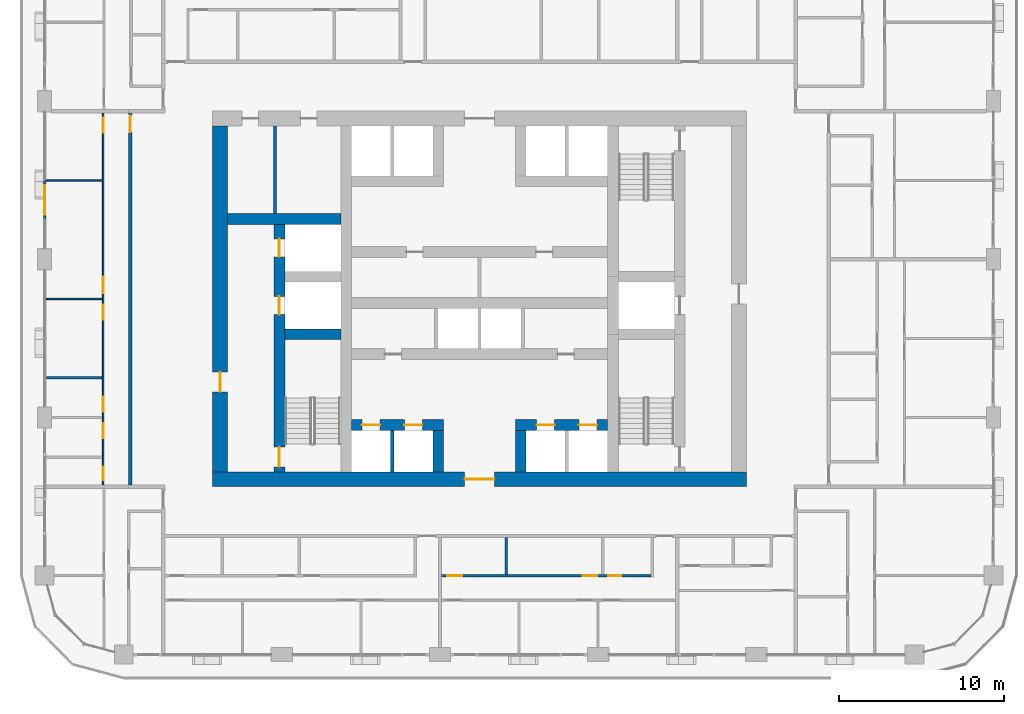
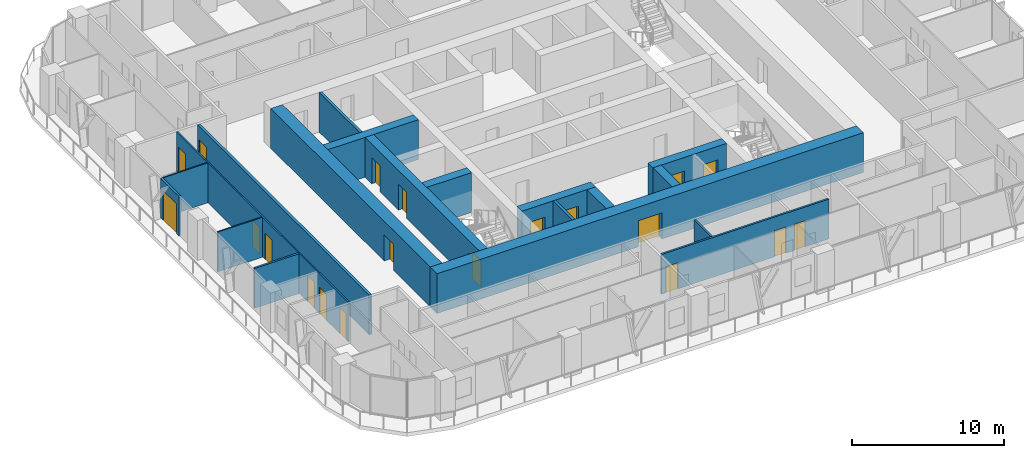
# One storey, part 10 of 21: 20 doors, 19 walls, 20 openings.
"""IFC4 building model written with IfcOpenShell, lengths in metres."""

from ifc_helpers import new_model, si_unit, direction, frame, frame_2d, origin, place, context, subcontext, project, spatial, rectangle, extrude, material, layer, layer_set, type_object, element, fill, save


model = new_model("IFC4")

# Units and contexts
model_context = context("Model", 3, precision=1e-05, world=origin(), true_north=direction((0.0, 1.0)))
body_context = subcontext(model_context, "Body", "Model", "MODEL_VIEW")
ifc_project = project(units=[si_unit("LENGTHUNIT", "METRE"), si_unit("AREAUNIT", "SQUARE_METRE"), si_unit("VOLUMEUNIT", "CUBIC_METRE"), si_unit("PLANEANGLEUNIT", "RADIAN"), si_unit("MASSUNIT", "GRAM", prefix="KILO")], contexts=[model_context])

# Site, building, storey
site_placement = place(None, origin())
site = spatial("IfcSite", under=ifc_project, at=site_placement, CompositionType="ELEMENT")
building_placement = place(site_placement, origin())
building = spatial("IfcBuilding", under=site, at=building_placement, Name="Madar Terraces", CompositionType="ELEMENT")
storey_placement = place(building_placement, frame((0.0, 0.0, 96.199951171875)))
storey = spatial("IfcBuildingStorey", under=building, at=storey_placement, Name="L24", CompositionType="ELEMENT", Elevation=96.199951171875)

# Wall, openings, doors
ifc_material_1 = material(Name="Concrete C80/95", Category="concrete")
ifc_layer_1 = layer(ifc_material_1, 0.64990234375)
ifc_layer_set_1 = layer_set([ifc_layer_1], Name="Concrete C80/95 (CIW2 RC wall 650)")
wall_type_1 = type_object("IfcWallType", Name="CIW2 RC wall 650", PredefinedType="SHEAR", material=ifc_layer_set_1)
wall_1_placement = place(storey_placement, frame((19.050048828125, 15.89990234375, 0.0), z_axis=(0.0, 0.0, 1.0), x_axis=(0.0, 1.0, 0.0)))
wall_1 = element("IfcWall", 1, at=wall_1_placement, inside=storey, type_object=wall_type_1, Name="CORE SHAFT WALL", PredefinedType="SHEAR", context=body_context, shape_type="SweptSolid", body=[
    extrude(rectangle(XDim=15.025146484375, YDim=0.64990234375, at=frame_2d((7.5126953125, 0.0))), origin(), (0.0, 0.0, 1.0), 3.199951171875),
])
opening_1_placement = place(wall_1_placement, frame((9.550048828125, 0.0, 0.0)))
opening_1 = element("IfcOpeningElement", 2, at=opening_1_placement, cuts=wall_1, Name="Opening LD", PredefinedType="OPENING", context=body_context, shape_type="SweptSolid", body=[
    extrude(rectangle(XDim=1.10009765625, YDim=2.10009765625, at=frame_2d((0.550048828125, 1.050048828125))), frame((0.0, 0.3349609375, 0.0), z_axis=(0.0, -1.0, 0.0), x_axis=(1.0, 0.0, 0.0)), (0.0, 0.0, 1.0), 0.669921875),
])
opening_2_placement = place(wall_1_placement, frame((13.050048828125, 0.0, 0.0)))
opening_2 = element("IfcOpeningElement", 3, at=opening_2_placement, cuts=wall_1, Name="Opening LD", PredefinedType="OPENING", context=body_context, shape_type="SweptSolid", body=[
    extrude(rectangle(XDim=1.10009765625, YDim=2.10009765625, at=frame_2d((0.550048828125, 1.050048828125))), frame((0.0, 0.3349609375, 0.0), z_axis=(0.0, -1.0, 0.0), x_axis=(1.0, 0.0, 0.0)), (0.0, 0.0, 1.0), 0.669921875),
])
opening_3_placement = place(wall_1_placement, frame((0.300048828125, 0.0, 0.0)))
opening_3 = element("IfcOpeningElement", 4, at=opening_3_placement, cuts=wall_1, Name="Opening SD1", PredefinedType="OPENING", context=body_context, shape_type="SweptSolid", body=[
    extrude(rectangle(XDim=1.199951171875, YDim=2.10009765625, at=frame_2d((0.60009765625, 1.050048828125))), frame((0.0, 0.3349609375, 0.0), z_axis=(0.0, -1.0, 0.0), x_axis=(1.0, 0.0, 0.0)), (0.0, 0.0, 1.0), 0.669921875),
])
ifc_material_2 = material(Name="Stainless steel panel", Category="steel")
door_type_1 = type_object("IfcDoorType", Name="Lift landing door 1100 x 2100", OperationType="DOUBLE_DOOR_SLIDING", PredefinedType="DOOR", material=ifc_material_2)
door_1_placement = place(opening_1_placement, origin())
door_1 = element("IfcDoor", 5, at=door_1_placement, inside=storey, type_object=door_type_1, Name="LIFT LANDING DOOR", OperationType="DOUBLE_DOOR_SLIDING", OverallHeight=2.10009765625, OverallWidth=1.10009765625, PredefinedType="DOOR", context=body_context, shape_type="SweptSolid", body=[
    extrude(rectangle(XDim=1.10009765625, YDim=2.10009765625, at=frame_2d((0.550048828125, 1.050048828125))), frame((0.0, 0.02490234375, 0.0), z_axis=(0.0, -1.0, 0.0), x_axis=(1.0, 0.0, 0.0)), (0.0, 0.0, 1.0), 0.050048828125),
])
fill(opening_1, door_1)
door_2_placement = place(opening_2_placement, origin())
door_2 = element("IfcDoor", 6, at=door_2_placement, inside=storey, type_object=door_type_1, Name="LIFT LANDING DOOR", OperationType="DOUBLE_DOOR_SLIDING", OverallHeight=2.10009765625, OverallWidth=1.10009765625, PredefinedType="DOOR", context=body_context, shape_type="SweptSolid", body=[
    extrude(rectangle(XDim=1.10009765625, YDim=2.10009765625, at=frame_2d((0.550048828125, 1.050048828125))), frame((0.0, 0.02490234375, 0.0), z_axis=(0.0, -1.0, 0.0), x_axis=(1.0, 0.0, 0.0)), (0.0, 0.0, 1.0), 0.050048828125),
])
fill(opening_2, door_2)
ifc_material_3 = material(Name="Steel door leaf", Category="steel")
door_type_2 = type_object("IfcDoorType", Name="Stair door 1200 x 2100", OperationType="NOTDEFINED", PredefinedType="DOOR", material=ifc_material_3)
door_3_placement = place(opening_3_placement, frame((1.199951171875, 0.0, 0.0), z_axis=(0.0, 0.0, 1.0), x_axis=(-1.0, 0.0, 0.0)))
door_3 = element("IfcDoor", 7, at=door_3_placement, inside=storey, type_object=door_type_2, Name="STAIR DOOR", OperationType="SINGLE_SWING_RIGHT", OverallHeight=2.10009765625, OverallWidth=1.199951171875, PredefinedType="DOOR", context=body_context, shape_type="SweptSolid", body=[
    extrude(rectangle(XDim=1.199951171875, YDim=2.10009765625, at=frame_2d((0.60009765625, 1.050048828125))), frame((0.0, 0.02490234375, 0.0), z_axis=(0.0, -1.0, 0.0), x_axis=(1.0, 0.0, 0.0)), (0.0, 0.0, 1.0), 0.050048828125),
])
fill(opening_3, door_3)

# Walls
wall_2_placement = place(storey_placement, frame((19.375, 24.25, 0.0), z_axis=(0.0, 0.0, 1.0), x_axis=(1.0, 0.0, 0.0)))
element("IfcWall", 8, at=wall_2_placement, inside=storey, type_object=wall_type_1, Name="CORE SHAFT WALL", PredefinedType="SHEAR", context=body_context, shape_type="SweptSolid", body=[
    extrude(rectangle(XDim=3.39990234375, YDim=0.64990234375, at=frame_2d((1.699951171875, 0.0))), origin(), (0.0, 0.0, 1.0), 3.199951171875),
])
wall_3_placement = place(storey_placement, frame((15.89990234375, 31.25, 0.0), z_axis=(0.0, 0.0, 1.0), x_axis=(1.0, 0.0, 0.0)))
element("IfcWall", 9, at=wall_3_placement, inside=storey, type_object=wall_type_1, Name="CORE SHAFT WALL", PredefinedType="SHEAR", context=body_context, shape_type="SweptSolid", body=[
    extrude(rectangle(XDim=6.875, YDim=0.64990234375, at=frame_2d((3.4375, 0.0))), origin(), (0.0, 0.0, 1.0), 3.199951171875),
])

# Wall, openings, doors
wall_4_placement = place(storey_placement, frame((23.425048828125, 18.75, 0.0), z_axis=(0.0, 0.0, 1.0), x_axis=(1.0, 0.0, 0.0)))
wall_4 = element("IfcWall", 10, at=wall_4_placement, inside=storey, type_object=wall_type_1, Name="CORE SHAFT WALL", PredefinedType="SHEAR", context=body_context, shape_type="SweptSolid", body=[
    extrude(rectangle(XDim=5.599853515625, YDim=0.64990234375, at=frame_2d((2.7998046875, 0.0))), origin(), (0.0, 0.0, 1.0), 3.199951171875),
])
opening_4_placement = place(wall_4_placement, frame((0.637451171875, 0.0, 0.0)))
opening_4 = element("IfcOpeningElement", 11, at=opening_4_placement, cuts=wall_4, Name="Opening LD", PredefinedType="OPENING", context=body_context, shape_type="SweptSolid", body=[
    extrude(rectangle(XDim=1.10009765625, YDim=2.10009765625, at=frame_2d((0.550048828125, 1.050048828125))), frame((0.0, 0.3349609375, 0.0), z_axis=(0.0, -1.0, 0.0), x_axis=(1.0, 0.0, 0.0)), (0.0, 0.0, 1.0), 0.669921875),
])
opening_5_placement = place(wall_4_placement, frame((3.21240234375, 0.0, 0.0)))
opening_5 = element("IfcOpeningElement", 12, at=opening_5_placement, cuts=wall_4, Name="Opening LD", PredefinedType="OPENING", context=body_context, shape_type="SweptSolid", body=[
    extrude(rectangle(XDim=1.10009765625, YDim=2.10009765625, at=frame_2d((0.550048828125, 1.050048828125))), frame((0.0, 0.3349609375, 0.0), z_axis=(0.0, -1.0, 0.0), x_axis=(1.0, 0.0, 0.0)), (0.0, 0.0, 1.0), 0.669921875),
])
door_4_placement = place(opening_4_placement, origin())
door_4 = element("IfcDoor", 13, at=door_4_placement, inside=storey, type_object=door_type_1, Name="LIFT LANDING DOOR", OperationType="DOUBLE_DOOR_SLIDING", OverallHeight=2.10009765625, OverallWidth=1.10009765625, PredefinedType="DOOR", context=body_context, shape_type="SweptSolid", body=[
    extrude(rectangle(XDim=1.10009765625, YDim=2.10009765625, at=frame_2d((0.550048828125, 1.050048828125))), frame((0.0, 0.02490234375, 0.0), z_axis=(0.0, -1.0, 0.0), x_axis=(1.0, 0.0, 0.0)), (0.0, 0.0, 1.0), 0.050048828125),
])
fill(opening_4, door_4)
door_5_placement = place(opening_5_placement, origin())
door_5 = element("IfcDoor", 14, at=door_5_placement, inside=storey, type_object=door_type_1, Name="LIFT LANDING DOOR", OperationType="DOUBLE_DOOR_SLIDING", OverallHeight=2.10009765625, OverallWidth=1.10009765625, PredefinedType="DOOR", context=body_context, shape_type="SweptSolid", body=[
    extrude(rectangle(XDim=1.10009765625, YDim=2.10009765625, at=frame_2d((0.550048828125, 1.050048828125))), frame((0.0, 0.02490234375, 0.0), z_axis=(0.0, -1.0, 0.0), x_axis=(1.0, 0.0, 0.0)), (0.0, 0.0, 1.0), 0.050048828125),
])
fill(opening_5, door_5)

wall_5_placement = place(storey_placement, frame((33.375, 18.75, 0.0), z_axis=(0.0, 0.0, 1.0), x_axis=(1.0, 0.0, 0.0)))
wall_5 = element("IfcWall", 15, at=wall_5_placement, inside=storey, type_object=wall_type_1, Name="CORE SHAFT WALL", PredefinedType="SHEAR", context=body_context, shape_type="SweptSolid", body=[
    extrude(rectangle(XDim=5.60009765625, YDim=0.64990234375, at=frame_2d((2.800048828125, 0.0))), origin(), (0.0, 0.0, 1.0), 3.199951171875),
])
opening_6_placement = place(wall_5_placement, frame((1.28759765625, 0.0, 0.0)))
opening_6 = element("IfcOpeningElement", 16, at=opening_6_placement, cuts=wall_5, Name="Opening LD", PredefinedType="OPENING", context=body_context, shape_type="SweptSolid", body=[
    extrude(rectangle(XDim=1.10009765625, YDim=2.10009765625, at=frame_2d((0.550048828125, 1.050048828125))), frame((0.0, 0.3349609375, 0.0), z_axis=(0.0, -1.0, 0.0), x_axis=(1.0, 0.0, 0.0)), (0.0, 0.0, 1.0), 0.669921875),
])
opening_7_placement = place(wall_5_placement, frame((3.862548828125, 0.0, 0.0)))
opening_7 = element("IfcOpeningElement", 17, at=opening_7_placement, cuts=wall_5, Name="Opening LD", PredefinedType="OPENING", context=body_context, shape_type="SweptSolid", body=[
    extrude(rectangle(XDim=1.10009765625, YDim=2.10009765625, at=frame_2d((0.550048828125, 1.050048828125))), frame((0.0, 0.3349609375, 0.0), z_axis=(0.0, -1.0, 0.0), x_axis=(1.0, 0.0, 0.0)), (0.0, 0.0, 1.0), 0.669921875),
])
door_6_placement = place(opening_6_placement, origin())
door_6 = element("IfcDoor", 18, at=door_6_placement, inside=storey, type_object=door_type_1, Name="LIFT LANDING DOOR", OperationType="DOUBLE_DOOR_SLIDING", OverallHeight=2.10009765625, OverallWidth=1.10009765625, PredefinedType="DOOR", context=body_context, shape_type="SweptSolid", body=[
    extrude(rectangle(XDim=1.10009765625, YDim=2.10009765625, at=frame_2d((0.550048828125, 1.050048828125))), frame((0.0, 0.02490234375, 0.0), z_axis=(0.0, -1.0, 0.0), x_axis=(1.0, 0.0, 0.0)), (0.0, 0.0, 1.0), 0.050048828125),
])
fill(opening_6, door_6)
door_7_placement = place(opening_7_placement, origin())
door_7 = element("IfcDoor", 19, at=door_7_placement, inside=storey, type_object=door_type_1, Name="LIFT LANDING DOOR", OperationType="DOUBLE_DOOR_SLIDING", OverallHeight=2.10009765625, OverallWidth=1.10009765625, PredefinedType="DOOR", context=body_context, shape_type="SweptSolid", body=[
    extrude(rectangle(XDim=1.10009765625, YDim=2.10009765625, at=frame_2d((0.550048828125, 1.050048828125))), frame((0.0, 0.02490234375, 0.0), z_axis=(0.0, -1.0, 0.0), x_axis=(1.0, 0.0, 0.0)), (0.0, 0.0, 1.0), 0.050048828125),
])
fill(opening_7, door_7)

# Walls
for number, where, z_axis, x_axis, name in (
    (20, (28.699951171875, 15.89990234375, 0.0), (0.0, 0.0, 1.0), (0.0, 1.0, 0.0), "CORE SHAFT WALL"),
    (21, (33.699951171875, 15.89990234375, 0.0), (0.0, 0.0, 1.0), (0.0, 1.0, 0.0), "CORE SHAFT WALL"),
):
    element("IfcWall", number, at=place(storey_placement, frame(where, z_axis=z_axis, x_axis=x_axis)), inside=storey, type_object=wall_type_1, Name=name, PredefinedType="SHEAR", context=body_context, shape_type="SweptSolid", body=[
        extrude(rectangle(XDim=2.525146484375, YDim=0.64990234375, at=frame_2d((1.2626953125, 0.0))), origin(), (0.0, 0.0, 1.0), 3.199951171875),
    ])

# Wall, opening, door
ifc_material_4 = material(Name="Concrete C80/95", Category="concrete")
ifc_layer_2 = layer(ifc_material_4, 0.89990234375)
ifc_layer_set_2 = layer_set([ifc_layer_2], Name="Concrete C80/95 (CRW2 RC wall 900)")
wall_type_2 = type_object("IfcWallType", Name="CRW2 RC wall 900", PredefinedType="SHEAR", material=ifc_layer_set_2)
wall_6_placement = place(storey_placement, frame((15.0, 15.449951171875, 0.0), z_axis=(0.0, 0.0, 1.0), x_axis=(1.0, 0.0, 0.0)))
wall_6 = element("IfcWall", 22, at=wall_6_placement, inside=storey, type_object=wall_type_2, Name="CORE OUTER WALL", PredefinedType="SHEAR", context=body_context, shape_type="SweptSolid", body=[
    extrude(rectangle(XDim=32.39990234375, YDim=0.89990234375, at=frame_2d((16.199951171875, 0.0))), origin(), (0.0, 0.0, 1.0), 3.199951171875),
])
opening_8_placement = place(wall_6_placement, frame((15.300048828125, 0.0, 0.0)))
opening_8 = element("IfcOpeningElement", 23, at=opening_8_placement, cuts=wall_6, Name="Opening KD1", PredefinedType="OPENING", context=body_context, shape_type="SweptSolid", body=[
    extrude(rectangle(XDim=1.800048828125, YDim=2.10009765625, at=frame_2d((0.89990234375, 1.050048828125))), frame((0.0, 0.4599609375, 0.0), z_axis=(0.0, -1.0, 0.0), x_axis=(1.0, 0.0, 0.0)), (0.0, 0.0, 1.0), 0.919921875),
])
ifc_material_5 = material(Name="Steel door leaf", Category="steel")
door_type_3 = type_object("IfcDoorType", Name="Lobby door pair 1800 x 2100", OperationType="DOUBLE_DOOR_SINGLE_SWING", PredefinedType="DOOR", material=ifc_material_5)
door_8_placement = place(opening_8_placement, frame((1.800048828125, 0.0, 0.0), z_axis=(0.0, 0.0, 1.0), x_axis=(-1.0, 0.0, 0.0)))
door_8 = element("IfcDoor", 24, at=door_8_placement, inside=storey, type_object=door_type_3, Name="LIFT LOBBY DOOR", OperationType="DOUBLE_DOOR_SINGLE_SWING", OverallHeight=2.10009765625, OverallWidth=1.800048828125, PredefinedType="DOOR", context=body_context, shape_type="SweptSolid", body=[
    extrude(rectangle(XDim=1.800048828125, YDim=2.10009765625, at=frame_2d((0.89990234375, 1.050048828125))), frame((0.0, 0.02490234375, 0.0), z_axis=(0.0, -1.0, 0.0), x_axis=(1.0, 0.0, 0.0)), (0.0, 0.0, 1.0), 0.050048828125),
])
fill(opening_8, door_8)

wall_7_placement = place(storey_placement, frame((15.449951171875, 15.89990234375, 0.0), z_axis=(0.0, 0.0, 1.0), x_axis=(0.0, 1.0, 0.0)))
wall_7 = element("IfcWall", 25, at=wall_7_placement, inside=storey, type_object=wall_type_2, Name="CORE OUTER WALL", PredefinedType="SHEAR", context=body_context, shape_type="SweptSolid", body=[
    extrude(rectangle(XDim=21.0, YDim=0.89990234375, at=frame_2d((10.5, 0.0))), origin(), (0.0, 0.0, 1.0), 3.199951171875),
])
opening_9_placement = place(wall_7_placement, frame((4.860107421875, 0.0, 0.0)))
opening_9 = element("IfcOpeningElement", 26, at=opening_9_placement, cuts=wall_7, Name="Opening SD1", PredefinedType="OPENING", context=body_context, shape_type="SweptSolid", body=[
    extrude(rectangle(XDim=1.199951171875, YDim=2.10009765625, at=frame_2d((0.60009765625, 1.050048828125))), frame((0.0, 0.4599609375, 0.0), z_axis=(0.0, -1.0, 0.0), x_axis=(1.0, 0.0, 0.0)), (0.0, 0.0, 1.0), 0.919921875),
])
door_9_placement = place(opening_9_placement, frame((1.199951171875, 0.0, 0.0), z_axis=(0.0, 0.0, 1.0), x_axis=(-1.0, 0.0, 0.0)))
door_9 = element("IfcDoor", 27, at=door_9_placement, inside=storey, type_object=door_type_2, Name="STAIR DOOR", OperationType="SINGLE_SWING_LEFT", OverallHeight=2.10009765625, OverallWidth=1.199951171875, PredefinedType="DOOR", context=body_context, shape_type="SweptSolid", body=[
    extrude(rectangle(XDim=1.199951171875, YDim=2.10009765625, at=frame_2d((0.60009765625, 1.050048828125))), frame((0.0, 0.02490234375, 0.0), z_axis=(0.0, -1.0, 0.0), x_axis=(1.0, 0.0, 0.0)), (0.0, 0.0, 1.0), 0.050048828125),
])
fill(opening_9, door_9)

# Walls
ifc_material_6 = material(Name="Masonry blockwork", Category="masonry")
ifc_layer_3 = layer(ifc_material_6, 0.199951171875)
ifc_layer_set_3 = layer_set([ifc_layer_3], Name="Core partition 200 blockwork")
wall_type_3 = type_object("IfcWallType", Name="Core partition 200 blockwork", PredefinedType="PARTITIONING", material=ifc_layer_set_3)
wall_8_placement = place(storey_placement, frame((18.78759765625, 31.574951171875, 0.0), z_axis=(0.0, 0.0, 1.0), x_axis=(0.0, 1.0, 0.0)))
element("IfcWall", 28, at=wall_8_placement, inside=storey, type_object=wall_type_3, Name="SERVICE ROOM PARTITION", PredefinedType="PARTITIONING", context=body_context, shape_type="SweptSolid", body=[
    extrude(rectangle(XDim=5.324951171875, YDim=0.199951171875, at=frame_2d((2.66259765625, 0.0))), origin(), (0.0, 0.0, 1.0), 3.199951171875),
])
ifc_material_7 = material(Name="Concrete C40/50", Category="concrete")
ifc_layer_4 = layer(ifc_material_7, 0.199951171875)
ifc_layer_set_4 = layer_set([ifc_layer_4], Name="Core shaft dividing wall 200 C40/50")
wall_type_4 = type_object("IfcWallType", Name="Core shaft dividing wall 200 C40/50", PredefinedType="SOLIDWALL", material=ifc_layer_set_4)
wall_9_placement = place(storey_placement, frame((25.89990234375, 15.89990234375, 0.0), z_axis=(0.0, 0.0, 1.0), x_axis=(0.0, 1.0, 0.0)))
element("IfcWall", 29, at=wall_9_placement, inside=storey, type_object=wall_type_4, Name="SHAFT DIVIDING WALL", PredefinedType="SOLIDWALL", context=body_context, shape_type="SweptSolid", body=[
    extrude(rectangle(XDim=2.525146484375, YDim=0.199951171875, at=frame_2d((1.2626953125, 0.0))), origin(), (0.0, 0.0, 1.0), 3.199951171875),
])

# Wall, opening, door
ifc_material_8 = material(Name="Aluminium composite panel, black, over insulated backing", Category="aluminium")
ifc_layer_5 = layer(ifc_material_8, 0.14990234375)
ifc_layer_set_5 = layer_set([ifc_layer_5], Name="Facade bay panel 150")
wall_type_5 = type_object("IfcWallType", Name="Facade bay panel 150", PredefinedType="SOLIDWALL", material=ifc_layer_set_5)
wall_10_placement = place(storey_placement, frame((4.800048828125, 33.60009765625, 0.0), z_axis=(0.0, 0.0, 1.0), x_axis=(0.0, -1.0, 0.0)))
wall_10 = element("IfcWall", 30, at=wall_10_placement, inside=storey, type_object=wall_type_5, Name="Facade bay panel", PredefinedType="SOLIDWALL", context=body_context, shape_type="SweptSolid", body=[
    extrude(rectangle(XDim=2.400146484375, YDim=0.14990234375, at=frame_2d((1.2001953125, 0.0))), origin(), (0.0, 0.0, 1.0), 3.199951171875),
])
opening_10_placement = place(wall_10_placement, frame((0.300048828125, 0.0, 0.0)))
opening_10 = element("IfcOpeningElement", 31, at=opening_10_placement, cuts=wall_10, Name="Opening ED1", PredefinedType="OPENING", context=body_context, shape_type="SweptSolid", body=[
    extrude(rectangle(XDim=1.800048828125, YDim=2.39990234375, at=frame_2d((0.89990234375, 1.199951171875))), frame((0.0, 0.0849609375, 0.0), z_axis=(0.0, -1.0, 0.0), x_axis=(1.0, 0.0, 0.0)), (0.0, 0.0, 1.0), 0.169921875),
])
ifc_material_9 = material(Name="Glass, clear, with black aluminium frame", Category="aluminium")
door_type_4 = type_object("IfcDoorType", Name="Balcony and terrace sliding door 1800 x 2400", OperationType="SLIDING_TO_LEFT", PredefinedType="DOOR", material=ifc_material_9)
door_10_placement = place(opening_10_placement, origin())
door_10 = element("IfcDoor", 32, at=door_10_placement, inside=storey, type_object=door_type_4, Name="Balcony door", OperationType="SLIDING_TO_LEFT", OverallHeight=2.39990234375, OverallWidth=1.800048828125, PredefinedType="DOOR", context=body_context, shape_type="SweptSolid", body=[
    extrude(rectangle(XDim=1.800048828125, YDim=2.39990234375, at=frame_2d((0.89990234375, 1.199951171875))), frame((0.0, 0.02490234375, 0.0), z_axis=(0.0, -1.0, 0.0), x_axis=(1.0, 0.0, 0.0)), (0.0, 0.0, 1.0), 0.050048828125),
])
fill(opening_10, door_10)

# Walls
ifc_material_10 = material(Name="Gypsum board on steel studs", Category="steel")
ifc_layer_6 = layer(ifc_material_10, 0.10009765625)
ifc_layer_set_6 = layer_set([ifc_layer_6], Name="Flat partition 100")
wall_type_6 = type_object("IfcWallType", Name="Flat partition 100", PredefinedType="PARTITIONING", material=ifc_layer_set_6)
for number, where, z_axis, x_axis, name in (
    (33, (8.300048828125, 33.60009765625, 0.0), (0.0, 0.0, 1.0), (-1.0, 0.0, 0.0), "Flat partition 100"),
    (34, (8.300048828125, 26.39990234375, 0.0), (0.0, 0.0, 1.0), (-1.0, 0.0, 0.0), "Flat partition 100"),
):
    element("IfcWall", number, at=place(storey_placement, frame(where, z_axis=z_axis, x_axis=x_axis)), inside=storey, type_object=wall_type_6, Name=name, PredefinedType="PARTITIONING", context=body_context, shape_type="SweptSolid", body=[
        extrude(rectangle(XDim=3.400146484375, YDim=0.10009765625, at=frame_2d((1.7001953125, 0.0))), origin(), (0.0, 0.0, 1.0), 3.199951171875),
    ])

# Wall, openings, doors
wall_11_placement = place(storey_placement, frame((8.35009765625, 15.10009765625, 0.0), z_axis=(0.0, 0.0, 1.0), x_axis=(0.0, 1.0, 0.0)))
wall_11 = element("IfcWall", 35, at=wall_11_placement, inside=storey, type_object=wall_type_6, Name="Flat partition 100", PredefinedType="PARTITIONING", context=body_context, shape_type="SweptSolid", body=[
    extrude(rectangle(XDim=22.599853515625, YDim=0.10009765625, at=frame_2d((11.2998046875, 0.0))), origin(), (0.0, 0.0, 1.0), 3.199951171875),
])
opening_11_placement = place(wall_11_placement, frame((21.39990234375, 0.0, 0.0)))
opening_11 = element("IfcOpeningElement", 36, at=opening_11_placement, cuts=wall_11, Name="Opening D2", PredefinedType="OPENING", context=body_context, shape_type="SweptSolid", body=[
    extrude(rectangle(XDim=0.89990234375, YDim=2.10009765625, at=frame_2d((0.449951171875, 1.050048828125))), frame((0.0, 0.06005859375, 0.0), z_axis=(0.0, -1.0, 0.0), x_axis=(1.0, 0.0, 0.0)), (0.0, 0.0, 1.0), 0.1201171875),
])
opening_12_placement = place(wall_11_placement, frame((11.64990234375, 0.0, 0.0)))
opening_12 = element("IfcOpeningElement", 37, at=opening_12_placement, cuts=wall_11, Name="Opening D3", PredefinedType="OPENING", context=body_context, shape_type="SweptSolid", body=[
    extrude(rectangle(XDim=1.0, YDim=2.10009765625, at=frame_2d((0.5, 1.050048828125))), frame((0.0, 0.06005859375, 0.0), z_axis=(0.0, -1.0, 0.0), x_axis=(1.0, 0.0, 0.0)), (0.0, 0.0, 1.0), 0.1201171875),
])
opening_13_placement = place(wall_11_placement, frame((10.050048828125, 0.0, 0.0)))
opening_13 = element("IfcOpeningElement", 38, at=opening_13_placement, cuts=wall_11, Name="Opening D2", PredefinedType="OPENING", context=body_context, shape_type="SweptSolid", body=[
    extrude(rectangle(XDim=0.89990234375, YDim=2.10009765625, at=frame_2d((0.449951171875, 1.050048828125))), frame((0.0, 0.06005859375, 0.0), z_axis=(0.0, -1.0, 0.0), x_axis=(1.0, 0.0, 0.0)), (0.0, 0.0, 1.0), 0.1201171875),
])
opening_14_placement = place(wall_11_placement, frame((4.449951171875, 0.0, 0.0)))
opening_14 = element("IfcOpeningElement", 39, at=opening_14_placement, cuts=wall_11, Name="Opening D5", PredefinedType="OPENING", context=body_context, shape_type="SweptSolid", body=[
    extrude(rectangle(XDim=0.89990234375, YDim=2.10009765625, at=frame_2d((0.449951171875, 1.050048828125))), frame((0.0, 0.06005859375, 0.0), z_axis=(0.0, -1.0, 0.0), x_axis=(1.0, 0.0, 0.0)), (0.0, 0.0, 1.0), 0.1201171875),
])
opening_15_placement = place(wall_11_placement, frame((2.85009765625, 0.0, 0.0)))
opening_15 = element("IfcOpeningElement", 40, at=opening_15_placement, cuts=wall_11, Name="Opening D2", PredefinedType="OPENING", context=body_context, shape_type="SweptSolid", body=[
    extrude(rectangle(XDim=0.89990234375, YDim=2.10009765625, at=frame_2d((0.449951171875, 1.050048828125))), frame((0.0, 0.06005859375, 0.0), z_axis=(0.0, -1.0, 0.0), x_axis=(1.0, 0.0, 0.0)), (0.0, 0.0, 1.0), 0.1201171875),
])
opening_16_placement = place(wall_11_placement, frame((0.300048828125, 0.0, 0.0)))
opening_16 = element("IfcOpeningElement", 41, at=opening_16_placement, cuts=wall_11, Name="Opening D4", PredefinedType="OPENING", context=body_context, shape_type="SweptSolid", body=[
    extrude(rectangle(XDim=0.800048828125, YDim=2.10009765625, at=frame_2d((0.39990234375, 1.050048828125))), frame((0.0, 0.06005859375, 0.0), z_axis=(0.0, -1.0, 0.0), x_axis=(1.0, 0.0, 0.0)), (0.0, 0.0, 1.0), 0.1201171875),
])
ifc_material_11 = material(Name="Timber door leaf", Category="wood")
door_type_5 = type_object("IfcDoorType", Name="Flat accessible bathroom door 900", OperationType="NOTDEFINED", PredefinedType="DOOR", material=ifc_material_11)
door_11_placement = place(opening_14_placement, origin())
door_11 = element("IfcDoor", 42, at=door_11_placement, inside=storey, type_object=door_type_5, Name="Flat accessible bathroom door 900", OperationType="SINGLE_SWING_LEFT", OverallHeight=2.10009765625, OverallWidth=0.89990234375, PredefinedType="DOOR", context=body_context, shape_type="SweptSolid", body=[
    extrude(rectangle(XDim=0.89990234375, YDim=2.10009765625, at=frame_2d((0.449951171875, 1.050048828125))), frame((0.0, 0.02490234375, 0.0), z_axis=(0.0, -1.0, 0.0), x_axis=(1.0, 0.0, 0.0)), (0.0, 0.0, 1.0), 0.050048828125),
])
fill(opening_14, door_11)
ifc_material_12 = material(Name="Timber door leaf", Category="wood")
door_type_6 = type_object("IfcDoorType", Name="Flat bathroom door 800", OperationType="NOTDEFINED", PredefinedType="DOOR", material=ifc_material_12)
door_12_placement = place(opening_16_placement, origin())
door_12 = element("IfcDoor", 43, at=door_12_placement, inside=storey, type_object=door_type_6, Name="Flat bathroom door 800", OperationType="SINGLE_SWING_LEFT", OverallHeight=2.10009765625, OverallWidth=0.800048828125, PredefinedType="DOOR", context=body_context, shape_type="SweptSolid", body=[
    extrude(rectangle(XDim=0.800048828125, YDim=2.10009765625, at=frame_2d((0.39990234375, 1.050048828125))), frame((0.0, 0.02490234375, 0.0), z_axis=(0.0, -1.0, 0.0), x_axis=(1.0, 0.0, 0.0)), (0.0, 0.0, 1.0), 0.050048828125),
])
fill(opening_16, door_12)
ifc_material_13 = material(Name="Timber door leaf", Category="wood")
door_type_7 = type_object("IfcDoorType", Name="Flat living room door 1000", OperationType="NOTDEFINED", PredefinedType="DOOR", material=ifc_material_13)
door_13_placement = place(opening_12_placement, origin())
door_13 = element("IfcDoor", 44, at=door_13_placement, inside=storey, type_object=door_type_7, Name="Flat living room door 1000", OperationType="SINGLE_SWING_LEFT", OverallHeight=2.10009765625, OverallWidth=1.0, PredefinedType="DOOR", context=body_context, shape_type="SweptSolid", body=[
    extrude(rectangle(XDim=1.0, YDim=2.10009765625, at=frame_2d((0.5, 1.050048828125))), frame((0.0, 0.02490234375, 0.0), z_axis=(0.0, -1.0, 0.0), x_axis=(1.0, 0.0, 0.0)), (0.0, 0.0, 1.0), 0.050048828125),
])
fill(opening_12, door_13)
ifc_material_14 = material(Name="Timber door leaf", Category="wood")
door_type_8 = type_object("IfcDoorType", Name="Flat room door 900", OperationType="NOTDEFINED", PredefinedType="DOOR", material=ifc_material_14)
door_14_placement = place(opening_11_placement, origin())
door_14 = element("IfcDoor", 45, at=door_14_placement, inside=storey, type_object=door_type_8, Name="Flat room door 900", OperationType="SINGLE_SWING_RIGHT", OverallHeight=2.10009765625, OverallWidth=0.89990234375, PredefinedType="DOOR", context=body_context, shape_type="SweptSolid", body=[
    extrude(rectangle(XDim=0.89990234375, YDim=2.10009765625, at=frame_2d((0.449951171875, 1.050048828125))), frame((0.0, 0.02490234375, 0.0), z_axis=(0.0, -1.0, 0.0), x_axis=(1.0, 0.0, 0.0)), (0.0, 0.0, 1.0), 0.050048828125),
])
fill(opening_11, door_14)
door_15_placement = place(opening_13_placement, origin())
door_15 = element("IfcDoor", 46, at=door_15_placement, inside=storey, type_object=door_type_8, Name="Flat room door 900", OperationType="SINGLE_SWING_RIGHT", OverallHeight=2.10009765625, OverallWidth=0.89990234375, PredefinedType="DOOR", context=body_context, shape_type="SweptSolid", body=[
    extrude(rectangle(XDim=0.89990234375, YDim=2.10009765625, at=frame_2d((0.449951171875, 1.050048828125))), frame((0.0, 0.02490234375, 0.0), z_axis=(0.0, -1.0, 0.0), x_axis=(1.0, 0.0, 0.0)), (0.0, 0.0, 1.0), 0.050048828125),
])
fill(opening_13, door_15)
door_16_placement = place(opening_15_placement, origin())
door_16 = element("IfcDoor", 47, at=door_16_placement, inside=storey, type_object=door_type_8, Name="Flat room door 900", OperationType="SINGLE_SWING_RIGHT", OverallHeight=2.10009765625, OverallWidth=0.89990234375, PredefinedType="DOOR", context=body_context, shape_type="SweptSolid", body=[
    extrude(rectangle(XDim=0.89990234375, YDim=2.10009765625, at=frame_2d((0.449951171875, 1.050048828125))), frame((0.0, 0.02490234375, 0.0), z_axis=(0.0, -1.0, 0.0), x_axis=(1.0, 0.0, 0.0)), (0.0, 0.0, 1.0), 0.050048828125),
])
fill(opening_15, door_16)

# Wall, opening, door
ifc_material_15 = material(Name="Lightweight blockwork", Category="masonry")
ifc_layer_7 = layer(ifc_material_15, 0.199951171875)
ifc_layer_set_7 = layer_set([ifc_layer_7], Name="Flat party and entrance wall 200")
wall_type_7 = type_object("IfcWallType", Name="Flat party and entrance wall 200", PredefinedType="PARTITIONING", material=ifc_layer_set_7)
wall_12_placement = place(storey_placement, frame((10.0, 15.10009765625, 0.0), z_axis=(0.0, 0.0, 1.0), x_axis=(0.0, 1.0, 0.0)))
wall_12 = element("IfcWall", 48, at=wall_12_placement, inside=storey, type_object=wall_type_7, Name="Flat party and entrance wall 200", PredefinedType="PARTITIONING", context=body_context, shape_type="SweptSolid", body=[
    extrude(rectangle(XDim=22.599853515625, YDim=0.199951171875, at=frame_2d((11.2998046875, 0.0))), origin(), (0.0, 0.0, 1.0), 3.199951171875),
])
opening_17_placement = place(wall_12_placement, frame((21.425048828125, 0.0, 0.0)))
opening_17 = element("IfcOpeningElement", 49, at=opening_17_placement, cuts=wall_12, Name="Opening D1", PredefinedType="OPENING", context=body_context, shape_type="SweptSolid", body=[
    extrude(rectangle(XDim=1.0, YDim=2.10009765625, at=frame_2d((0.5, 1.050048828125))), frame((0.0, 0.10986328125, 0.0), z_axis=(0.0, -1.0, 0.0), x_axis=(1.0, 0.0, 0.0)), (0.0, 0.0, 1.0), 0.219970703125),
])
ifc_material_16 = material(Name="Timber fire door leaf", Category="wood")
door_type_9 = type_object("IfcDoorType", Name="Flat entrance door 1000 FD30S", OperationType="NOTDEFINED", PredefinedType="DOOR", material=ifc_material_16)
door_17_placement = place(opening_17_placement, origin())
door_17 = element("IfcDoor", 50, at=door_17_placement, inside=storey, type_object=door_type_9, Name="Flat entrance door 1000 FD30S", OperationType="SINGLE_SWING_RIGHT", OverallHeight=2.10009765625, OverallWidth=1.0, PredefinedType="DOOR", context=body_context, shape_type="SweptSolid", body=[
    extrude(rectangle(XDim=1.0, YDim=2.10009765625, at=frame_2d((0.5, 1.050048828125))), frame((0.0, 0.02490234375, 0.0), z_axis=(0.0, -1.0, 0.0), x_axis=(1.0, 0.0, 0.0)), (0.0, 0.0, 1.0), 0.050048828125),
])
fill(opening_17, door_17)

# Wall
ifc_material_17 = material(Name="Lightweight blockwork", Category="masonry")
ifc_layer_8 = layer(ifc_material_17, 0.14990234375)
ifc_layer_set_8 = layer_set([ifc_layer_8], Name="Flat wet-room partition 150")
wall_type_8 = type_object("IfcWallType", Name="Flat wet-room partition 150", PredefinedType="PARTITIONING", material=ifc_layer_set_8)
wall_13_placement = place(storey_placement, frame((32.8154296875, 11.89990234375, 0.0), z_axis=(0.0, 0.0, 1.0), x_axis=(0.0, -1.0, 0.0)))
element("IfcWall", 51, at=wall_13_placement, inside=storey, type_object=wall_type_8, Name="Flat wet-room partition 150", PredefinedType="PARTITIONING", context=body_context, shape_type="SweptSolid", body=[
    extrude(rectangle(XDim=2.224853515625, YDim=0.14990234375, at=frame_2d((1.1123046875, 0.0))), origin(), (0.0, 0.0, 1.0), 3.199951171875),
])

# Wall, openings, doors
wall_14_placement = place(storey_placement, frame((28.89990234375, 9.60009765625, 0.0), z_axis=(0.0, 0.0, 1.0), x_axis=(1.0, 0.0, 0.0)))
wall_14 = element("IfcWall", 52, at=wall_14_placement, inside=storey, type_object=wall_type_8, Name="Flat wet-room partition 150", PredefinedType="PARTITIONING", context=body_context, shape_type="SweptSolid", body=[
    extrude(rectangle(XDim=12.72509765625, YDim=0.14990234375, at=frame_2d((6.362548828125, 0.0))), origin(), (0.0, 0.0, 1.0), 3.199951171875),
])
opening_18_placement = place(wall_14_placement, frame((10.113525390625, 0.0, 0.0)))
opening_18 = element("IfcOpeningElement", 53, at=opening_18_placement, cuts=wall_14, Name="Opening D4", PredefinedType="OPENING", context=body_context, shape_type="SweptSolid", body=[
    extrude(rectangle(XDim=0.800048828125, YDim=2.10009765625, at=frame_2d((0.39990234375, 1.050048828125))), frame((0.0, 0.0849609375, 0.0), z_axis=(0.0, -1.0, 0.0), x_axis=(1.0, 0.0, 0.0)), (0.0, 0.0, 1.0), 0.169921875),
])
opening_19_placement = place(wall_14_placement, frame((8.5634765625, 0.0, 0.0)))
opening_19 = element("IfcOpeningElement", 54, at=opening_19_placement, cuts=wall_14, Name="Opening D2", PredefinedType="OPENING", context=body_context, shape_type="SweptSolid", body=[
    extrude(rectangle(XDim=0.89990234375, YDim=2.10009765625, at=frame_2d((0.449951171875, 1.050048828125))), frame((0.0, 0.0849609375, 0.0), z_axis=(0.0, -1.0, 0.0), x_axis=(1.0, 0.0, 0.0)), (0.0, 0.0, 1.0), 0.169921875),
])
opening_20_placement = place(wall_14_placement, frame((0.35009765625, 0.0, 0.0)))
opening_20 = element("IfcOpeningElement", 55, at=opening_20_placement, cuts=wall_14, Name="Opening D5", PredefinedType="OPENING", context=body_context, shape_type="SweptSolid", body=[
    extrude(rectangle(XDim=0.89990234375, YDim=2.10009765625, at=frame_2d((0.449951171875, 1.050048828125))), frame((0.0, 0.0849609375, 0.0), z_axis=(0.0, -1.0, 0.0), x_axis=(1.0, 0.0, 0.0)), (0.0, 0.0, 1.0), 0.169921875),
])
door_18_placement = place(opening_20_placement, origin())
door_18 = element("IfcDoor", 56, at=door_18_placement, inside=storey, type_object=door_type_5, Name="Flat accessible bathroom door 900", OperationType="SINGLE_SWING_LEFT", OverallHeight=2.10009765625, OverallWidth=0.89990234375, PredefinedType="DOOR", context=body_context, shape_type="SweptSolid", body=[
    extrude(rectangle(XDim=0.89990234375, YDim=2.10009765625, at=frame_2d((0.449951171875, 1.050048828125))), frame((0.0, 0.02490234375, 0.0), z_axis=(0.0, -1.0, 0.0), x_axis=(1.0, 0.0, 0.0)), (0.0, 0.0, 1.0), 0.050048828125),
])
fill(opening_20, door_18)
door_19_placement = place(opening_18_placement, origin())
door_19 = element("IfcDoor", 57, at=door_19_placement, inside=storey, type_object=door_type_6, Name="Flat bathroom door 800", OperationType="SINGLE_SWING_LEFT", OverallHeight=2.10009765625, OverallWidth=0.800048828125, PredefinedType="DOOR", context=body_context, shape_type="SweptSolid", body=[
    extrude(rectangle(XDim=0.800048828125, YDim=2.10009765625, at=frame_2d((0.39990234375, 1.050048828125))), frame((0.0, 0.02490234375, 0.0), z_axis=(0.0, -1.0, 0.0), x_axis=(1.0, 0.0, 0.0)), (0.0, 0.0, 1.0), 0.050048828125),
])
fill(opening_18, door_19)
door_20_placement = place(opening_19_placement, origin())
door_20 = element("IfcDoor", 58, at=door_20_placement, inside=storey, type_object=door_type_8, Name="Flat room door 900", OperationType="SINGLE_SWING_RIGHT", OverallHeight=2.10009765625, OverallWidth=0.89990234375, PredefinedType="DOOR", context=body_context, shape_type="SweptSolid", body=[
    extrude(rectangle(XDim=0.89990234375, YDim=2.10009765625, at=frame_2d((0.449951171875, 1.050048828125))), frame((0.0, 0.02490234375, 0.0), z_axis=(0.0, -1.0, 0.0), x_axis=(1.0, 0.0, 0.0)), (0.0, 0.0, 1.0), 0.050048828125),
])
fill(opening_19, door_20)

# Wall
wall_15_placement = place(storey_placement, frame((8.27490234375, 21.60009765625, 0.0), z_axis=(0.0, 0.0, 1.0), x_axis=(-1.0, 0.0, 0.0)))
element("IfcWall", 59, at=wall_15_placement, inside=storey, type_object=wall_type_8, Name="Flat wet-room partition 150", PredefinedType="PARTITIONING", context=body_context, shape_type="SweptSolid", body=[
    extrude(rectangle(XDim=3.375, YDim=0.14990234375, at=frame_2d((1.6875, 0.0))), origin(), (0.0, 0.0, 1.0), 3.199951171875),
])

save(model, "model.ifc")
